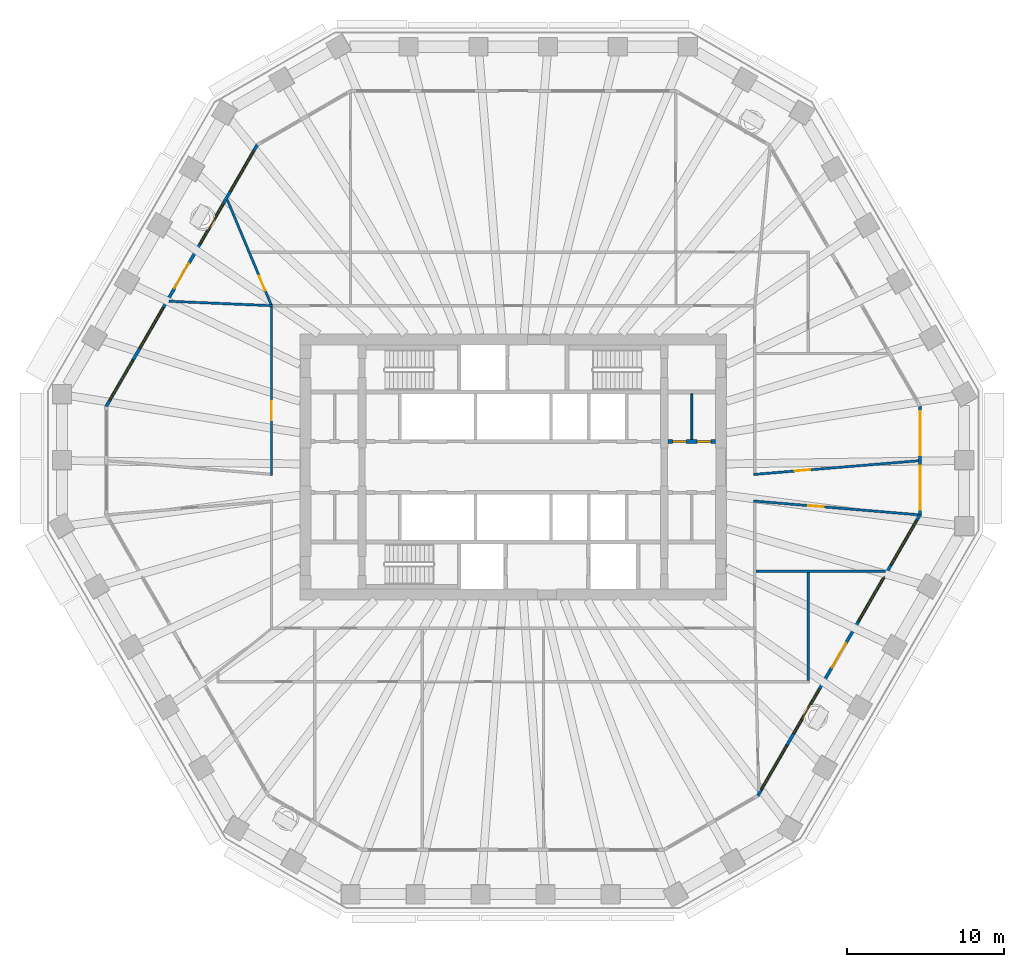
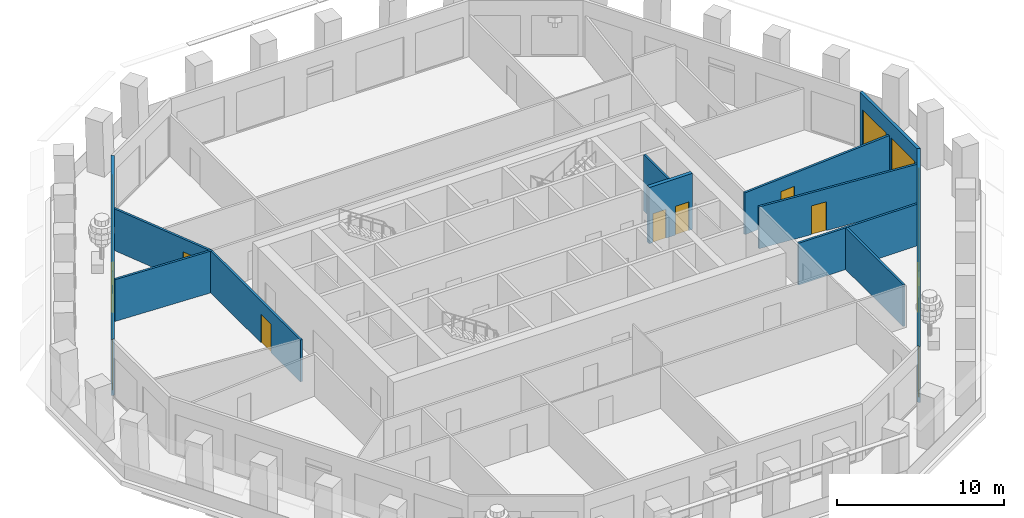
# One storey, part 6 of 12: 12 walls, 12 windows, 8 doors, 20 openings.
"""IFC4 building model written with IfcOpenShell, lengths in metres."""

from ifc_helpers import new_model, si_unit, direction, frame, frame_2d, origin, place, context, subcontext, project, spatial, polyline, rectangle, outline, extrude, material, layer, layer_set, type_object, element, fill, save


model = new_model("IFC4")

# Units and contexts
model_context = context("Model", 3, precision=1e-05, world=origin(), true_north=direction((0.0, 1.0)))
body_context = subcontext(model_context, "Body", "Model", "MODEL_VIEW")
ifc_project = project(units=[si_unit("LENGTHUNIT", "METRE"), si_unit("AREAUNIT", "SQUARE_METRE"), si_unit("VOLUMEUNIT", "CUBIC_METRE"), si_unit("PLANEANGLEUNIT", "RADIAN"), si_unit("MASSUNIT", "GRAM", prefix="KILO")], contexts=[model_context])

# Site, building, storey
site_placement = place(None, origin())
site = spatial("IfcSite", under=ifc_project, at=site_placement, CompositionType="ELEMENT")
building_placement = place(site_placement, origin())
building = spatial("IfcBuilding", under=site, at=building_placement, Name="Frailejon Research Tower", CompositionType="ELEMENT")
storey_placement = place(building_placement, frame((0.0, 0.0, 158.39990234375)))
storey = spatial("IfcBuildingStorey", under=building, at=storey_placement, Name="L34", CompositionType="ELEMENT", Elevation=158.39990234375)

# Wall
ifc_material_1 = material(Name="Plasterboard on steel studs", Category="steel")
ifc_layer_1 = layer(ifc_material_1, 0.125)
ifc_layer_set_1 = layer_set([ifc_layer_1], Name="Core partition 125")
wall_type_1 = type_object("IfcWallType", Name="Core partition 125", PredefinedType="PARTITIONING", material=ifc_layer_set_1)
wall_1_placement = place(storey_placement, frame((11.35009765625, 1.75, 0.0), z_axis=(0.0, 0.0, 1.0), x_axis=(0.0, 1.0, 0.0)))
element("IfcWall", 1, at=wall_1_placement, inside=storey, type_object=wall_type_1, Name="Core partition", PredefinedType="PARTITIONING", context=body_context, shape_type="SweptSolid", body=[
    extrude(rectangle(XDim=2.89990234375, YDim=0.125, at=frame_2d((1.449951171875, 0.0))), origin(), (0.0, 0.0, 1.0), 4.10009765625),
])

# Wall, opening, door
ifc_material_2 = material(Name="Gypsum board and masonry partition", Category="masonry")
ifc_layer_2 = layer(ifc_material_2, 0.14990234375)
ifc_layer_set_2 = layer_set([ifc_layer_2], Name="Corridor wall EI 60, gypsum on steel studs 150")
wall_type_2 = type_object("IfcWallType", Name="Corridor wall EI 60, gypsum on steel studs 150", PredefinedType="PARTITIONING", material=ifc_layer_set_2)
wall_2_placement = place(storey_placement, frame((-15.35009765625, -0.542236328125, 0.0), z_axis=(0.0, 0.0, 1.0), x_axis=(0.0, 1.0, 0.0)))
wall_2 = element("IfcWall", 2, at=wall_2_placement, inside=storey, type_object=wall_type_2, Name="T:IW:L34:007", PredefinedType="PARTITIONING", context=body_context, shape_type="SweptSolid", body=[
    extrude(rectangle(XDim=10.71728515625, YDim=0.14990234375, at=frame_2d((5.358642578125, 0.0))), origin(), (0.0, 0.0, 1.0), 3.050048828125),
])
opening_1_placement = place(wall_2_placement, frame((3.510986328125, 0.0, 0.0)))
opening_1 = element("IfcOpeningElement", 3, at=opening_1_placement, cuts=wall_2, Name="Opening D1744", PredefinedType="OPENING", context=body_context, shape_type="SweptSolid", body=[
    extrude(rectangle(XDim=1.199951171875, YDim=2.10009765625, at=frame_2d((0.60009765625, 1.050048828125))), frame((0.0, 0.0849609375, 0.0), z_axis=(0.0, -1.0, 0.0), x_axis=(1.0, 0.0, 0.0)), (0.0, 0.0, 1.0), 0.169921875),
])
ifc_material_3 = material(Name="Timber door leaf", Category="wood")
door_type_1 = type_object("IfcDoorType", Name="Door laboratory, timber, vision panel 1200", OperationType="NOTDEFINED", PredefinedType="DOOR", material=ifc_material_3)
door_1_placement = place(opening_1_placement, origin())
door_1 = element("IfcDoor", 4, at=door_1_placement, inside=storey, type_object=door_type_1, Name="D1744", OperationType="DOUBLE_DOOR_SINGLE_SWING", OverallHeight=2.10009765625, OverallWidth=1.199951171875, PredefinedType="DOOR", context=body_context, shape_type="SweptSolid", body=[
    extrude(rectangle(XDim=1.199951171875, YDim=2.10009765625, at=frame_2d((0.60009765625, 1.050048828125))), frame((0.0, 0.02490234375, 0.0), z_axis=(0.0, -1.0, 0.0), x_axis=(1.0, 0.0, 0.0)), (0.0, 0.0, 1.0), 0.050048828125),
])
fill(opening_1, door_1)

wall_3_placement = place(storey_placement, frame((15.275390625, -0.473388671875, 0.0), z_axis=(0.0, 0.0, 1.0), x_axis=(0.996557439817, 0.08290518165, 0.0)))
wall_3 = element("IfcWall", 5, at=wall_3_placement, inside=storey, type_object=wall_type_2, Name="T:IW:L34:009", PredefinedType="PARTITIONING", context=body_context, shape_type="SweptSolid", body=[
    extrude(rectangle(XDim=10.512939453125, YDim=0.14990234375, at=frame_2d((5.25634765625, 0.0))), origin(), (0.0, 0.0, 1.0), 3.050048828125),
])
opening_2_placement = place(wall_3_placement, frame((2.609619140625, 0.0, 0.0)))
opening_2 = element("IfcOpeningElement", 6, at=opening_2_placement, cuts=wall_3, Name="Opening D1734", PredefinedType="OPENING", context=body_context, shape_type="SweptSolid", body=[
    extrude(rectangle(XDim=1.0, YDim=2.10009765625, at=frame_2d((0.5, 1.050048828125))), frame((0.0, 0.0849609375, 0.0), z_axis=(0.0, -1.0, 0.0), x_axis=(1.0, 0.0, 0.0)), (0.0, 0.0, 1.0), 0.169921875),
])
ifc_material_4 = material(Name="Timber door leaf", Category="wood")
door_type_2 = type_object("IfcDoorType", Name="Door single leaf, timber, steel frame 1000", OperationType="NOTDEFINED", PredefinedType="DOOR", material=ifc_material_4)
door_2_placement = place(opening_2_placement, origin())
door_2 = element("IfcDoor", 7, at=door_2_placement, inside=storey, type_object=door_type_2, Name="D1734", OperationType="SINGLE_SWING_LEFT", OverallHeight=2.10009765625, OverallWidth=1.0, PredefinedType="DOOR", context=body_context, shape_type="SweptSolid", body=[
    extrude(rectangle(XDim=1.0, YDim=2.10009765625, at=frame_2d((0.5, 1.050048828125))), frame((0.0, 0.02490234375, 0.0), z_axis=(0.0, -1.0, 0.0), x_axis=(1.0, 0.0, 0.0)), (0.0, 0.0, 1.0), 0.050048828125),
])
fill(opening_2, door_2)

wall_4_placement = place(storey_placement, frame((15.275390625, -2.160888671875, 0.0), z_axis=(0.0, 0.0, 1.0), x_axis=(0.996555700042, -0.082926091874, 0.0)))
wall_4 = element("IfcWall", 8, at=wall_4_placement, inside=storey, type_object=wall_type_2, Name="T:IW:L34:010", PredefinedType="PARTITIONING", context=body_context, shape_type="SweptSolid", body=[
    extrude(rectangle(XDim=10.49267578125, YDim=0.14990234375, at=frame_2d((5.246337890625, 0.0))), origin(), (0.0, 0.0, 1.0), 3.050048828125),
])
opening_3_placement = place(wall_4_placement, frame((3.476318359375, 0.0, 0.0)))
opening_3 = element("IfcOpeningElement", 9, at=opening_3_placement, cuts=wall_4, Name="Opening D1756", PredefinedType="OPENING", context=body_context, shape_type="SweptSolid", body=[
    extrude(rectangle(XDim=1.0, YDim=2.10009765625, at=frame_2d((0.5, 1.050048828125))), frame((0.0, 0.0849609375, 0.0), z_axis=(0.0, -1.0, 0.0), x_axis=(1.0, 0.0, 0.0)), (0.0, 0.0, 1.0), 0.169921875),
])
ifc_material_5 = material(Name="Timber door leaf", Category="wood")
door_type_3 = type_object("IfcDoorType", Name="Door laboratory, timber, vision panel 1000", OperationType="NOTDEFINED", PredefinedType="DOOR", material=ifc_material_5)
door_3_placement = place(opening_3_placement, origin())
door_3 = element("IfcDoor", 10, at=door_3_placement, inside=storey, type_object=door_type_3, Name="D1756", OperationType="SINGLE_SWING_LEFT", OverallHeight=2.10009765625, OverallWidth=1.0, PredefinedType="DOOR", context=body_context, shape_type="SweptSolid", body=[
    extrude(rectangle(XDim=1.0, YDim=2.10009765625, at=frame_2d((0.5, 1.050048828125))), frame((0.0, 0.02490234375, 0.0), z_axis=(0.0, -1.0, 0.0), x_axis=(1.0, 0.0, 0.0)), (0.0, 0.0, 1.0), 0.050048828125),
])
fill(opening_3, door_3)

# Wall
ifc_material_6 = material(Name="Gypsum board and masonry partition", Category="masonry")
ifc_layer_3 = layer(ifc_material_6, 0.14990234375)
ifc_layer_set_3 = layer_set([ifc_layer_3], Name="Laboratory partition, blockwork 150")
wall_type_3 = type_object("IfcWallType", Name="Laboratory partition, blockwork 150", PredefinedType="PARTITIONING", material=ifc_layer_set_3)
wall_5_placement = place(storey_placement, frame((18.75, -13.574951171875, 0.0), z_axis=(0.0, 0.0, 1.0), x_axis=(0.0, 1.0, 0.0)))
element("IfcWall", 11, at=wall_5_placement, inside=storey, type_object=wall_type_3, Name="T:IW:L34:014", PredefinedType="PARTITIONING", context=body_context, shape_type="SweptSolid", body=[
    extrude(rectangle(XDim=6.870361328125, YDim=0.14990234375, at=frame_2d((3.43505859375, 0.0))), origin(), (0.0, 0.0, 1.0), 3.050048828125),
])

# Wall, opening, door
wall_6_placement = place(storey_placement, frame((-18.161865234375, 16.972412109375, 0.0), z_axis=(0.0, 0.0, 1.0), x_axis=(0.385884187842, -0.92254723108, 0.0)))
wall_6 = element("IfcWall", 12, at=wall_6_placement, inside=storey, type_object=wall_type_3, Name="T:IW:L34:019", PredefinedType="PARTITIONING", context=body_context, shape_type="SweptSolid", body=[
    extrude(rectangle(XDim=7.2119140625, YDim=0.14990234375, at=frame_2d((3.60595703125, 0.0))), origin(), (0.0, 0.0, 1.0), 3.050048828125),
])
opening_4_placement = place(wall_6_placement, frame((5.241943359375, 0.0, 0.0)))
opening_4 = element("IfcOpeningElement", 13, at=opening_4_placement, cuts=wall_6, Name="Opening D1743", PredefinedType="OPENING", context=body_context, shape_type="SweptSolid", body=[
    extrude(rectangle(XDim=1.0, YDim=2.10009765625, at=frame_2d((0.5, 1.050048828125))), frame((0.0, 0.0849609375, 0.0), z_axis=(0.0, -1.0, 0.0), x_axis=(1.0, 0.0, 0.0)), (0.0, 0.0, 1.0), 0.169921875),
])
door_4_placement = place(opening_4_placement, origin())
door_4 = element("IfcDoor", 14, at=door_4_placement, inside=storey, type_object=door_type_3, Name="D1743", OperationType="SINGLE_SWING_RIGHT", OverallHeight=2.10009765625, OverallWidth=1.0, PredefinedType="DOOR", context=body_context, shape_type="SweptSolid", body=[
    extrude(rectangle(XDim=1.0, YDim=2.10009765625, at=frame_2d((0.5, 1.050048828125))), frame((0.0, 0.02490234375, 0.0), z_axis=(0.0, -1.0, 0.0), x_axis=(1.0, 0.0, 0.0)), (0.0, 0.0, 1.0), 0.050048828125),
])
fill(opening_4, door_4)

# Walls
wall_7_placement = place(storey_placement, frame((-21.880126953125, 10.531982421875, 0.0), z_axis=(0.0, 0.0, 1.0), x_axis=(0.999069350549, -0.043132734584, 0.0)))
element("IfcWall", 15, at=wall_7_placement, inside=storey, type_object=wall_type_3, Name="T:IW:L34:020", PredefinedType="PARTITIONING", context=body_context, shape_type="SweptSolid", body=[
    extrude(rectangle(XDim=6.611083984375, YDim=0.14990234375, at=frame_2d((3.3056640625, 0.0))), origin(), (0.0, 0.0, 1.0), 3.050048828125),
])
wall_8_placement = place(storey_placement, frame((15.425048828125, -6.629638671875, 0.0), z_axis=(0.0, 0.0, 1.0), x_axis=(1.0, 0.0, 0.0)))
element("IfcWall", 16, at=wall_8_placement, inside=storey, type_object=wall_type_3, Name="T:IW:L34:029", PredefinedType="PARTITIONING", context=body_context, shape_type="SweptSolid", body=[
    extrude(rectangle(XDim=8.229248046875, YDim=0.14990234375, at=frame_2d((4.11474609375, 0.0))), origin(), (0.0, 0.0, 1.0), 3.050048828125),
])

# Wall, openings, doors
ifc_material_7 = material(Name="Concrete C60/75", Category="concrete")
ifc_layer_4 = layer(ifc_material_7, 0.25)
ifc_layer_set_4 = layer_set([ifc_layer_4], Name="Shaft wall 250 C60/75")
wall_type_4 = type_object("IfcWallType", Name="Shaft wall 250 C60/75", PredefinedType="SOLIDWALL", material=ifc_layer_set_4)
wall_9_placement = place(storey_placement, frame((9.85009765625, 1.625, 0.0), z_axis=(0.0, 0.0, 1.0), x_axis=(1.0, 0.0, 0.0)))
wall_9 = element("IfcWall", 17, at=wall_9_placement, inside=storey, type_object=wall_type_4, Name="Shaft wall", PredefinedType="SOLIDWALL", context=body_context, shape_type="SweptSolid", body=[
    extrude(rectangle(XDim=3.0, YDim=0.25, at=frame_2d((1.5, 0.0))), origin(), (0.0, 0.0, 1.0), 4.10009765625),
])
opening_5_placement = place(wall_9_placement, frame((0.268798828125, 0.0, 0.0)))
opening_5 = element("IfcOpeningElement", 18, at=opening_5_placement, cuts=wall_9, Name="Opening D8", PredefinedType="OPENING", context=body_context, shape_type="SweptSolid", body=[
    extrude(rectangle(XDim=0.89990234375, YDim=2.10009765625, at=frame_2d((0.449951171875, 1.050048828125))), frame((0.0, 0.135009765625, 0.0), z_axis=(0.0, -1.0, 0.0), x_axis=(1.0, 0.0, 0.0)), (0.0, 0.0, 1.0), 0.27001953125),
])
opening_6_placement = place(wall_9_placement, frame((1.831298828125, 0.0, 0.0)))
opening_6 = element("IfcOpeningElement", 19, at=opening_6_placement, cuts=wall_9, Name="Opening D8", PredefinedType="OPENING", context=body_context, shape_type="SweptSolid", body=[
    extrude(rectangle(XDim=0.89990234375, YDim=2.10009765625, at=frame_2d((0.449951171875, 1.050048828125))), frame((0.0, 0.135009765625, 0.0), z_axis=(0.0, -1.0, 0.0), x_axis=(1.0, 0.0, 0.0)), (0.0, 0.0, 1.0), 0.27001953125),
])
ifc_material_8 = material(Name="Steel", Category="steel")
door_type_4 = type_object("IfcDoorType", Name="Core room door", OperationType="SINGLE_SWING_LEFT", PredefinedType="DOOR", material=ifc_material_8)
door_5_placement = place(opening_5_placement, origin())
door_5 = element("IfcDoor", 20, at=door_5_placement, inside=storey, type_object=door_type_4, Name="Room door", OperationType="SINGLE_SWING_LEFT", OverallHeight=2.10009765625, OverallWidth=0.89990234375, PredefinedType="DOOR", context=body_context, shape_type="SweptSolid", body=[
    extrude(rectangle(XDim=0.89990234375, YDim=2.10009765625, at=frame_2d((0.449951171875, 1.050048828125))), frame((0.0, 0.074951171875, 0.0), z_axis=(0.0, -1.0, 0.0), x_axis=(1.0, 0.0, 0.0)), (0.0, 0.0, 1.0), 0.14990234375),
])
fill(opening_5, door_5)
door_6_placement = place(opening_6_placement, origin())
door_6 = element("IfcDoor", 21, at=door_6_placement, inside=storey, type_object=door_type_4, Name="Room door", OperationType="SINGLE_SWING_RIGHT", OverallHeight=2.10009765625, OverallWidth=0.89990234375, PredefinedType="DOOR", context=body_context, shape_type="SweptSolid", body=[
    extrude(rectangle(XDim=0.89990234375, YDim=2.10009765625, at=frame_2d((0.449951171875, 1.050048828125))), frame((0.0, 0.074951171875, 0.0), z_axis=(0.0, -1.0, 0.0), x_axis=(1.0, 0.0, 0.0)), (0.0, 0.0, 1.0), 0.14990234375),
])
fill(opening_6, door_6)

# Wall, openings, windows
ifc_material_9 = material(Name="Concrete C40/50 precast window wall panel", Category="concrete")
ifc_layer_5 = layer(ifc_material_9, 0.199951171875)
ifc_layer_set_5 = layer_set([ifc_layer_5], Name="Window wall 200")
wall_type_5 = type_object("IfcWallType", Name="Window wall 200", PredefinedType="SOLIDWALL", material=ifc_layer_set_5)
wall_10_placement = place(storey_placement, frame((25.852294921875, -3.0224609375, 0.0), z_axis=(0.0, 0.0, 1.0), x_axis=(0.0, 1.0, 0.0)))
wall_10 = element("IfcWall", 22, at=wall_10_placement, inside=storey, type_object=wall_type_5, Name="Exterior wall L34", PredefinedType="SOLIDWALL", context=body_context, shape_type="SweptSolid", body=[
    extrude(outline(polyline([(-0.02685546875, -0.10009765625), (1.1279296875, -0.10009765625), (2.282470703125, -0.10009765625), (3.437255859375, -0.10009765625), (4.592041015625, -0.10009765625), (5.74658203125, -0.10009765625), (6.9013671875, -0.10009765625), (6.84765625, 0.10009765625), (5.7109375, 0.10009765625), (4.573974609375, 0.10009765625), (3.437255859375, 0.10009765625), (2.300537109375, 0.10009765625), (1.16357421875, 0.10009765625), (0.02685546875, 0.10009765625), (-0.02685546875, -0.10009765625)])), origin(), (0.0, 0.0, 1.0), 4.10009765625),
])
opening_7_placement = place(wall_10_placement, frame((0.318603515625, 0.0, 0.10009765625)))
opening_7 = element("IfcOpeningElement", 23, at=opening_7_placement, cuts=wall_10, Name="Opening W3", PredefinedType="OPENING", context=body_context, shape_type="SweptSolid", body=[
    extrude(rectangle(XDim=2.800048828125, YDim=2.89990234375, at=frame_2d((1.39990234375, 1.449951171875))), frame((0.0, 0.10986328125, 0.0), z_axis=(0.0, -1.0, 0.0), x_axis=(1.0, 0.0, 0.0)), (0.0, 0.0, 1.0), 0.219970703125),
])
opening_8_placement = place(wall_10_placement, frame((3.756103515625, 0.0, 0.10009765625)))
opening_8 = element("IfcOpeningElement", 24, at=opening_8_placement, cuts=wall_10, Name="Opening W3", PredefinedType="OPENING", context=body_context, shape_type="SweptSolid", body=[
    extrude(rectangle(XDim=2.800048828125, YDim=2.89990234375, at=frame_2d((1.39990234375, 1.449951171875))), frame((0.0, 0.10986328125, 0.0), z_axis=(0.0, -1.0, 0.0), x_axis=(1.0, 0.0, 0.0)), (0.0, 0.0, 1.0), 0.219970703125),
])
ifc_material_10 = material(Name="Aluminium framed double glazing", Category="aluminium")
window_type_1 = type_object("IfcWindowType", Name="Window 2800x2900", PartitioningType="SINGLE_PANEL", PredefinedType="WINDOW", material=ifc_material_10)
window_1_placement = place(opening_7_placement, origin())
window_1 = element("IfcWindow", 25, at=window_1_placement, inside=storey, type_object=window_type_1, Name="Window L34", OverallHeight=2.89990234375, OverallWidth=2.800048828125, PartitioningType="SINGLE_PANEL", PredefinedType="WINDOW", context=body_context, shape_type="SweptSolid", body=[
    extrude(rectangle(XDim=2.800048828125, YDim=2.89990234375, at=frame_2d((1.39990234375, 1.449951171875))), frame((0.0, 0.030029296875, 0.0), z_axis=(0.0, -1.0, 0.0), x_axis=(1.0, 0.0, 0.0)), (0.0, 0.0, 1.0), 0.06005859375),
])
fill(opening_7, window_1)
window_2_placement = place(opening_8_placement, origin())
window_2 = element("IfcWindow", 26, at=window_2_placement, inside=storey, type_object=window_type_1, Name="Window L34", OverallHeight=2.89990234375, OverallWidth=2.800048828125, PartitioningType="SINGLE_PANEL", PredefinedType="WINDOW", context=body_context, shape_type="SweptSolid", body=[
    extrude(rectangle(XDim=2.800048828125, YDim=2.89990234375, at=frame_2d((1.39990234375, 1.449951171875))), frame((0.0, 0.030029296875, 0.0), z_axis=(0.0, -1.0, 0.0), x_axis=(1.0, 0.0, 0.0)), (0.0, 0.0, 1.0), 0.06005859375),
])
fill(opening_8, window_2)

# Wall, openings, door, windows
wall_11_placement = place(storey_placement, frame((-16.26220703125, 20.462646484375, 0.0), z_axis=(0.0, 0.0, 1.0), x_axis=(-0.499998279088, -0.866026397351, 0.0)))
wall_11 = element("IfcWall", 27, at=wall_11_placement, inside=storey, type_object=wall_type_5, Name="Exterior wall L34", PredefinedType="SOLIDWALL", context=body_context, shape_type="SweptSolid", body=[
    extrude(outline(polyline([(-0.02685546875, -0.10009765625), (0.9853515625, -0.10009765625), (1.997802734375, -0.10009765625), (3.010009765625, -0.10009765625), (4.0224609375, -0.10009765625), (5.03466796875, -0.10009765625), (6.047119140625, -0.10009765625), (7.059326171875, -0.10009765625), (8.071533203125, -0.10009765625), (9.083984375, -0.10009765625), (10.09619140625, -0.10009765625), (11.108642578125, -0.10009765625), (12.120849609375, -0.10009765625), (13.133056640625, -0.10009765625), (14.1455078125, -0.10009765625), (15.15771484375, -0.10009765625), (16.170166015625, -0.10009765625), (17.182373046875, -0.10009765625), (18.19482421875, -0.10009765625), (19.20703125, -0.10009765625), (19.1533203125, 0.10009765625), (18.146728515625, 0.10009765625), (17.139892578125, 0.10009765625), (16.13330078125, 0.10009765625), (15.126708984375, 0.10009765625), (14.1201171875, 0.10009765625), (13.11328125, 0.10009765625), (12.106689453125, 0.10009765625), (11.10009765625, 0.10009765625), (10.093505859375, 0.10009765625), (9.086669921875, 0.10009765625), (8.080078125, 0.10009765625), (7.073486328125, 0.10009765625), (6.06689453125, 0.10009765625), (5.06005859375, 0.10009765625), (4.053466796875, 0.10009765625), (3.046875, 0.10009765625), (2.040283203125, 0.10009765625), (1.033447265625, 0.10009765625), (0.02685546875, 0.10009765625), (-0.02685546875, -0.10009765625)])), origin(), (0.0, 0.0, 1.0), 4.10009765625),
])
opening_9_placement = place(wall_11_placement, frame((0.41796875, 0.0, 0.10009765625)))
opening_9 = element("IfcOpeningElement", 28, at=opening_9_placement, cuts=wall_11, Name="Opening W4", PredefinedType="OPENING", context=body_context, shape_type="SweptSolid", body=[
    extrude(rectangle(XDim=3.0, YDim=2.89990234375, at=frame_2d((1.5, 1.449951171875))), frame((0.0, 0.10986328125, 0.0), z_axis=(0.0, -1.0, 0.0), x_axis=(1.0, 0.0, 0.0)), (0.0, 0.0, 1.0), 0.219970703125),
])
opening_10_placement = place(wall_11_placement, frame((4.254150390625, 0.0, 0.10009765625)))
opening_10 = element("IfcOpeningElement", 29, at=opening_10_placement, cuts=wall_11, Name="Opening W4", PredefinedType="OPENING", context=body_context, shape_type="SweptSolid", body=[
    extrude(rectangle(XDim=3.0, YDim=2.89990234375, at=frame_2d((1.5, 1.449951171875))), frame((0.0, 0.10986328125, 0.0), z_axis=(0.0, -1.0, 0.0), x_axis=(1.0, 0.0, 0.0)), (0.0, 0.0, 1.0), 0.219970703125),
])
opening_11_placement = place(wall_11_placement, frame((8.690185546875, 0.0, 0.0)))
opening_11 = element("IfcOpeningElement", 30, at=opening_11_placement, cuts=wall_11, Name="Opening LG34-3", PredefinedType="OPENING", context=body_context, shape_type="SweptSolid", body=[
    extrude(rectangle(XDim=1.800048828125, YDim=2.39990234375, at=frame_2d((0.89990234375, 1.199951171875))), frame((0.0, 0.10986328125, 0.0), z_axis=(0.0, -1.0, 0.0), x_axis=(1.0, 0.0, 0.0)), (0.0, 0.0, 1.0), 0.219970703125),
])
opening_12_placement = place(wall_11_placement, frame((8.690185546875, 0.0, 2.550048828125)))
opening_12 = element("IfcOpeningElement", 31, at=opening_12_placement, cuts=wall_11, Name="Opening W1", PredefinedType="OPENING", context=body_context, shape_type="SweptSolid", body=[
    extrude(rectangle(XDim=1.800048828125, YDim=0.449951171875, at=frame_2d((0.89990234375, 0.22509765625))), frame((0.0, 0.10986328125, 0.0), z_axis=(0.0, -1.0, 0.0), x_axis=(1.0, 0.0, 0.0)), (0.0, 0.0, 1.0), 0.219970703125),
])
opening_13_placement = place(wall_11_placement, frame((11.92626953125, 0.0, 0.10009765625)))
opening_13 = element("IfcOpeningElement", 32, at=opening_13_placement, cuts=wall_11, Name="Opening W4", PredefinedType="OPENING", context=body_context, shape_type="SweptSolid", body=[
    extrude(rectangle(XDim=3.0, YDim=2.89990234375, at=frame_2d((1.5, 1.449951171875))), frame((0.0, 0.10986328125, 0.0), z_axis=(0.0, -1.0, 0.0), x_axis=(1.0, 0.0, 0.0)), (0.0, 0.0, 1.0), 0.219970703125),
])
opening_14_placement = place(wall_11_placement, frame((15.76220703125, 0.0, 0.10009765625)))
opening_14 = element("IfcOpeningElement", 33, at=opening_14_placement, cuts=wall_11, Name="Opening W4", PredefinedType="OPENING", context=body_context, shape_type="SweptSolid", body=[
    extrude(rectangle(XDim=3.0, YDim=2.89990234375, at=frame_2d((1.5, 1.449951171875))), frame((0.0, 0.10986328125, 0.0), z_axis=(0.0, -1.0, 0.0), x_axis=(1.0, 0.0, 0.0)), (0.0, 0.0, 1.0), 0.219970703125),
])
ifc_material_11 = material(Name="Aluminium framed glazed door leaf", Category="aluminium")
door_type_5 = type_object("IfcDoorType", Name="Loggia door 1800x2400", OperationType="DOUBLE_DOOR_SINGLE_SWING", PredefinedType="DOOR", material=ifc_material_11)
door_7_placement = place(opening_11_placement, origin())
door_7 = element("IfcDoor", 34, at=door_7_placement, inside=storey, type_object=door_type_5, Name="Door LG34-3", OperationType="DOUBLE_DOOR_SINGLE_SWING", OverallHeight=2.39990234375, OverallWidth=1.800048828125, PredefinedType="DOOR", context=body_context, shape_type="SweptSolid", body=[
    extrude(rectangle(XDim=1.800048828125, YDim=2.39990234375, at=frame_2d((0.89990234375, 1.199951171875))), frame((0.0, 0.02490234375, 0.0), z_axis=(0.0, -1.0, 0.0), x_axis=(1.0, 0.0, 0.0)), (0.0, 0.0, 1.0), 0.050048828125),
])
fill(opening_11, door_7)
ifc_material_12 = material(Name="Aluminium framed double glazing", Category="aluminium")
window_type_2 = type_object("IfcWindowType", Name="Window 1800x450", PartitioningType="SINGLE_PANEL", PredefinedType="WINDOW", material=ifc_material_12)
window_3_placement = place(opening_12_placement, origin())
window_3 = element("IfcWindow", 35, at=window_3_placement, inside=storey, type_object=window_type_2, Name="Window L34", OverallHeight=0.449951171875, OverallWidth=1.800048828125, PartitioningType="SINGLE_PANEL", PredefinedType="WINDOW", context=body_context, shape_type="SweptSolid", body=[
    extrude(rectangle(XDim=1.800048828125, YDim=0.449951171875, at=frame_2d((0.89990234375, 0.22509765625))), frame((0.0, 0.030029296875, 0.0), z_axis=(0.0, -1.0, 0.0), x_axis=(1.0, 0.0, 0.0)), (0.0, 0.0, 1.0), 0.06005859375),
])
fill(opening_12, window_3)
ifc_material_13 = material(Name="Aluminium framed double glazing", Category="aluminium")
window_type_3 = type_object("IfcWindowType", Name="Window 3000x2900", PartitioningType="SINGLE_PANEL", PredefinedType="WINDOW", material=ifc_material_13)
window_4_placement = place(opening_9_placement, origin())
window_4 = element("IfcWindow", 36, at=window_4_placement, inside=storey, type_object=window_type_3, Name="Window L34", OverallHeight=2.89990234375, OverallWidth=3.0, PartitioningType="SINGLE_PANEL", PredefinedType="WINDOW", context=body_context, shape_type="SweptSolid", body=[
    extrude(rectangle(XDim=3.0, YDim=2.89990234375, at=frame_2d((1.5, 1.449951171875))), frame((0.0, 0.030029296875, 0.0), z_axis=(0.0, -1.0, 0.0), x_axis=(1.0, 0.0, 0.0)), (0.0, 0.0, 1.0), 0.06005859375),
])
fill(opening_9, window_4)
window_5_placement = place(opening_10_placement, origin())
window_5 = element("IfcWindow", 37, at=window_5_placement, inside=storey, type_object=window_type_3, Name="Window L34", OverallHeight=2.89990234375, OverallWidth=3.0, PartitioningType="SINGLE_PANEL", PredefinedType="WINDOW", context=body_context, shape_type="SweptSolid", body=[
    extrude(rectangle(XDim=3.0, YDim=2.89990234375, at=frame_2d((1.5, 1.449951171875))), frame((0.0, 0.030029296875, 0.0), z_axis=(0.0, -1.0, 0.0), x_axis=(1.0, 0.0, 0.0)), (0.0, 0.0, 1.0), 0.06005859375),
])
fill(opening_10, window_5)
window_6_placement = place(opening_13_placement, origin())
window_6 = element("IfcWindow", 38, at=window_6_placement, inside=storey, type_object=window_type_3, Name="Window L34", OverallHeight=2.89990234375, OverallWidth=3.0, PartitioningType="SINGLE_PANEL", PredefinedType="WINDOW", context=body_context, shape_type="SweptSolid", body=[
    extrude(rectangle(XDim=3.0, YDim=2.89990234375, at=frame_2d((1.5, 1.449951171875))), frame((0.0, 0.030029296875, 0.0), z_axis=(0.0, -1.0, 0.0), x_axis=(1.0, 0.0, 0.0)), (0.0, 0.0, 1.0), 0.06005859375),
])
fill(opening_13, window_6)
window_7_placement = place(opening_14_placement, origin())
window_7 = element("IfcWindow", 39, at=window_7_placement, inside=storey, type_object=window_type_3, Name="Window L34", OverallHeight=2.89990234375, OverallWidth=3.0, PartitioningType="SINGLE_PANEL", PredefinedType="WINDOW", context=body_context, shape_type="SweptSolid", body=[
    extrude(rectangle(XDim=3.0, YDim=2.89990234375, at=frame_2d((1.5, 1.449951171875))), frame((0.0, 0.030029296875, 0.0), z_axis=(0.0, -1.0, 0.0), x_axis=(1.0, 0.0, 0.0)), (0.0, 0.0, 1.0), 0.06005859375),
])
fill(opening_14, window_7)

wall_12_placement = place(storey_placement, frame((15.543701171875, -20.87744140625, 0.0), z_axis=(0.0, 0.0, 1.0), x_axis=(0.500000580948, 0.866025068374, 0.0)))
wall_12 = element("IfcWall", 40, at=wall_12_placement, inside=storey, type_object=wall_type_5, Name="Exterior wall L34", PredefinedType="SOLIDWALL", context=body_context, shape_type="SweptSolid", body=[
    extrude(outline(polyline([(-0.02685546875, -0.10009765625), (1.006591796875, -0.10009765625), (2.040283203125, -0.10009765625), (3.07373046875, -0.10009765625), (4.107421875, -0.10009765625), (5.140869140625, -0.10009765625), (6.17431640625, -0.10009765625), (7.2080078125, -0.10009765625), (8.241455078125, -0.10009765625), (9.275146484375, -0.10009765625), (10.30859375, -0.10009765625), (11.342041015625, -0.10009765625), (12.375732421875, -0.10009765625), (13.4091796875, -0.10009765625), (14.44287109375, -0.10009765625), (15.476318359375, -0.10009765625), (16.509765625, -0.10009765625), (17.54345703125, -0.10009765625), (18.576904296875, -0.10009765625), (19.610595703125, -0.10009765625), (20.64404296875, -0.10009765625), (20.59033203125, 0.10009765625), (19.562255859375, 0.10009765625), (18.533935546875, 0.10009765625), (17.505859375, 0.10009765625), (16.4775390625, 0.10009765625), (15.449462890625, 0.10009765625), (14.42138671875, 0.10009765625), (13.39306640625, 0.10009765625), (12.364990234375, 0.10009765625), (11.336669921875, 0.10009765625), (10.30859375, 0.10009765625), (9.280517578125, 0.10009765625), (8.252197265625, 0.10009765625), (7.22412109375, 0.10009765625), (6.19580078125, 0.10009765625), (5.167724609375, 0.10009765625), (4.1396484375, 0.10009765625), (3.111328125, 0.10009765625), (2.083251953125, 0.10009765625), (1.054931640625, 0.10009765625), (0.02685546875, 0.10009765625), (-0.02685546875, -0.10009765625)])), origin(), (0.0, 0.0, 1.0), 4.10009765625),
])
opening_15_placement = place(wall_12_placement, frame((0.41162109375, 0.0, 0.10009765625)))
opening_15 = element("IfcOpeningElement", 41, at=opening_15_placement, cuts=wall_12, Name="Opening W5", PredefinedType="OPENING", context=body_context, shape_type="SweptSolid", body=[
    extrude(rectangle(XDim=3.300048828125, YDim=2.89990234375, at=frame_2d((1.64990234375, 1.449951171875))), frame((0.0, 0.10986328125, 0.0), z_axis=(0.0, -1.0, 0.0), x_axis=(1.0, 0.0, 0.0)), (0.0, 0.0, 1.0), 0.219970703125),
])
opening_16_placement = place(wall_12_placement, frame((4.53515625, 0.0, 0.10009765625)))
opening_16 = element("IfcOpeningElement", 42, at=opening_16_placement, cuts=wall_12, Name="Opening W5", PredefinedType="OPENING", context=body_context, shape_type="SweptSolid", body=[
    extrude(rectangle(XDim=3.300048828125, YDim=2.89990234375, at=frame_2d((1.64990234375, 1.449951171875))), frame((0.0, 0.10986328125, 0.0), z_axis=(0.0, -1.0, 0.0), x_axis=(1.0, 0.0, 0.0)), (0.0, 0.0, 1.0), 0.219970703125),
])
opening_17_placement = place(wall_12_placement, frame((9.40869140625, 0.0, 0.0)))
opening_17 = element("IfcOpeningElement", 43, at=opening_17_placement, cuts=wall_12, Name="Opening LG34-6", PredefinedType="OPENING", context=body_context, shape_type="SweptSolid", body=[
    extrude(rectangle(XDim=1.800048828125, YDim=2.39990234375, at=frame_2d((0.89990234375, 1.199951171875))), frame((0.0, 0.10986328125, 0.0), z_axis=(0.0, -1.0, 0.0), x_axis=(1.0, 0.0, 0.0)), (0.0, 0.0, 1.0), 0.219970703125),
])
opening_18_placement = place(wall_12_placement, frame((9.40869140625, 0.0, 2.550048828125)))
opening_18 = element("IfcOpeningElement", 44, at=opening_18_placement, cuts=wall_12, Name="Opening W1", PredefinedType="OPENING", context=body_context, shape_type="SweptSolid", body=[
    extrude(rectangle(XDim=1.800048828125, YDim=0.449951171875, at=frame_2d((0.89990234375, 0.22509765625))), frame((0.0, 0.10986328125, 0.0), z_axis=(0.0, -1.0, 0.0), x_axis=(1.0, 0.0, 0.0)), (0.0, 0.0, 1.0), 0.219970703125),
])
opening_19_placement = place(wall_12_placement, frame((12.781982421875, 0.0, 0.10009765625)))
opening_19 = element("IfcOpeningElement", 45, at=opening_19_placement, cuts=wall_12, Name="Opening W5", PredefinedType="OPENING", context=body_context, shape_type="SweptSolid", body=[
    extrude(rectangle(XDim=3.300048828125, YDim=2.89990234375, at=frame_2d((1.64990234375, 1.449951171875))), frame((0.0, 0.10986328125, 0.0), z_axis=(0.0, -1.0, 0.0), x_axis=(1.0, 0.0, 0.0)), (0.0, 0.0, 1.0), 0.219970703125),
])
opening_20_placement = place(wall_12_placement, frame((16.905517578125, 0.0, 0.10009765625)))
opening_20 = element("IfcOpeningElement", 46, at=opening_20_placement, cuts=wall_12, Name="Opening W5", PredefinedType="OPENING", context=body_context, shape_type="SweptSolid", body=[
    extrude(rectangle(XDim=3.300048828125, YDim=2.89990234375, at=frame_2d((1.64990234375, 1.449951171875))), frame((0.0, 0.10986328125, 0.0), z_axis=(0.0, -1.0, 0.0), x_axis=(1.0, 0.0, 0.0)), (0.0, 0.0, 1.0), 0.219970703125),
])
door_8_placement = place(opening_17_placement, origin())
door_8 = element("IfcDoor", 47, at=door_8_placement, inside=storey, type_object=door_type_5, Name="Door LG34-6", OperationType="DOUBLE_DOOR_SINGLE_SWING", OverallHeight=2.39990234375, OverallWidth=1.800048828125, PredefinedType="DOOR", context=body_context, shape_type="SweptSolid", body=[
    extrude(rectangle(XDim=1.800048828125, YDim=2.39990234375, at=frame_2d((0.89990234375, 1.199951171875))), frame((0.0, 0.02490234375, 0.0), z_axis=(0.0, -1.0, 0.0), x_axis=(1.0, 0.0, 0.0)), (0.0, 0.0, 1.0), 0.050048828125),
])
fill(opening_17, door_8)
window_8_placement = place(opening_18_placement, origin())
window_8 = element("IfcWindow", 48, at=window_8_placement, inside=storey, type_object=window_type_2, Name="Window L34", OverallHeight=0.449951171875, OverallWidth=1.800048828125, PartitioningType="SINGLE_PANEL", PredefinedType="WINDOW", context=body_context, shape_type="SweptSolid", body=[
    extrude(rectangle(XDim=1.800048828125, YDim=0.449951171875, at=frame_2d((0.89990234375, 0.22509765625))), frame((0.0, 0.030029296875, 0.0), z_axis=(0.0, -1.0, 0.0), x_axis=(1.0, 0.0, 0.0)), (0.0, 0.0, 1.0), 0.06005859375),
])
fill(opening_18, window_8)
ifc_material_14 = material(Name="Aluminium framed double glazing", Category="aluminium")
window_type_4 = type_object("IfcWindowType", Name="Window 3300x2900", PartitioningType="SINGLE_PANEL", PredefinedType="WINDOW", material=ifc_material_14)
window_9_placement = place(opening_15_placement, origin())
window_9 = element("IfcWindow", 49, at=window_9_placement, inside=storey, type_object=window_type_4, Name="Window L34", OverallHeight=2.89990234375, OverallWidth=3.300048828125, PartitioningType="SINGLE_PANEL", PredefinedType="WINDOW", context=body_context, shape_type="SweptSolid", body=[
    extrude(rectangle(XDim=3.300048828125, YDim=2.89990234375, at=frame_2d((1.64990234375, 1.449951171875))), frame((0.0, 0.030029296875, 0.0), z_axis=(0.0, -1.0, 0.0), x_axis=(1.0, 0.0, 0.0)), (0.0, 0.0, 1.0), 0.06005859375),
])
fill(opening_15, window_9)
window_10_placement = place(opening_16_placement, origin())
window_10 = element("IfcWindow", 50, at=window_10_placement, inside=storey, type_object=window_type_4, Name="Window L34", OverallHeight=2.89990234375, OverallWidth=3.300048828125, PartitioningType="SINGLE_PANEL", PredefinedType="WINDOW", context=body_context, shape_type="SweptSolid", body=[
    extrude(rectangle(XDim=3.300048828125, YDim=2.89990234375, at=frame_2d((1.64990234375, 1.449951171875))), frame((0.0, 0.030029296875, 0.0), z_axis=(0.0, -1.0, 0.0), x_axis=(1.0, 0.0, 0.0)), (0.0, 0.0, 1.0), 0.06005859375),
])
fill(opening_16, window_10)
window_11_placement = place(opening_19_placement, origin())
window_11 = element("IfcWindow", 51, at=window_11_placement, inside=storey, type_object=window_type_4, Name="Window L34", OverallHeight=2.89990234375, OverallWidth=3.300048828125, PartitioningType="SINGLE_PANEL", PredefinedType="WINDOW", context=body_context, shape_type="SweptSolid", body=[
    extrude(rectangle(XDim=3.300048828125, YDim=2.89990234375, at=frame_2d((1.64990234375, 1.449951171875))), frame((0.0, 0.030029296875, 0.0), z_axis=(0.0, -1.0, 0.0), x_axis=(1.0, 0.0, 0.0)), (0.0, 0.0, 1.0), 0.06005859375),
])
fill(opening_19, window_11)
window_12_placement = place(opening_20_placement, origin())
window_12 = element("IfcWindow", 52, at=window_12_placement, inside=storey, type_object=window_type_4, Name="Window L34", OverallHeight=2.89990234375, OverallWidth=3.300048828125, PartitioningType="SINGLE_PANEL", PredefinedType="WINDOW", context=body_context, shape_type="SweptSolid", body=[
    extrude(rectangle(XDim=3.300048828125, YDim=2.89990234375, at=frame_2d((1.64990234375, 1.449951171875))), frame((0.0, 0.030029296875, 0.0), z_axis=(0.0, -1.0, 0.0), x_axis=(1.0, 0.0, 0.0)), (0.0, 0.0, 1.0), 0.06005859375),
])
fill(opening_20, window_12)

save(model, "model.ifc")
